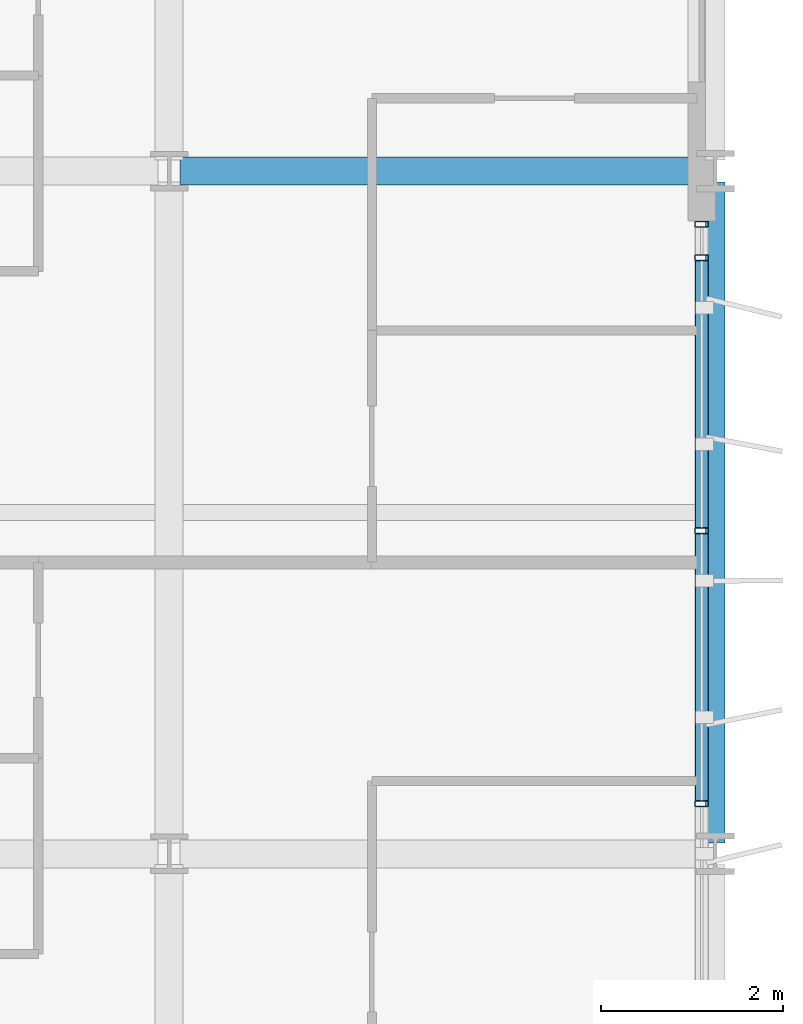
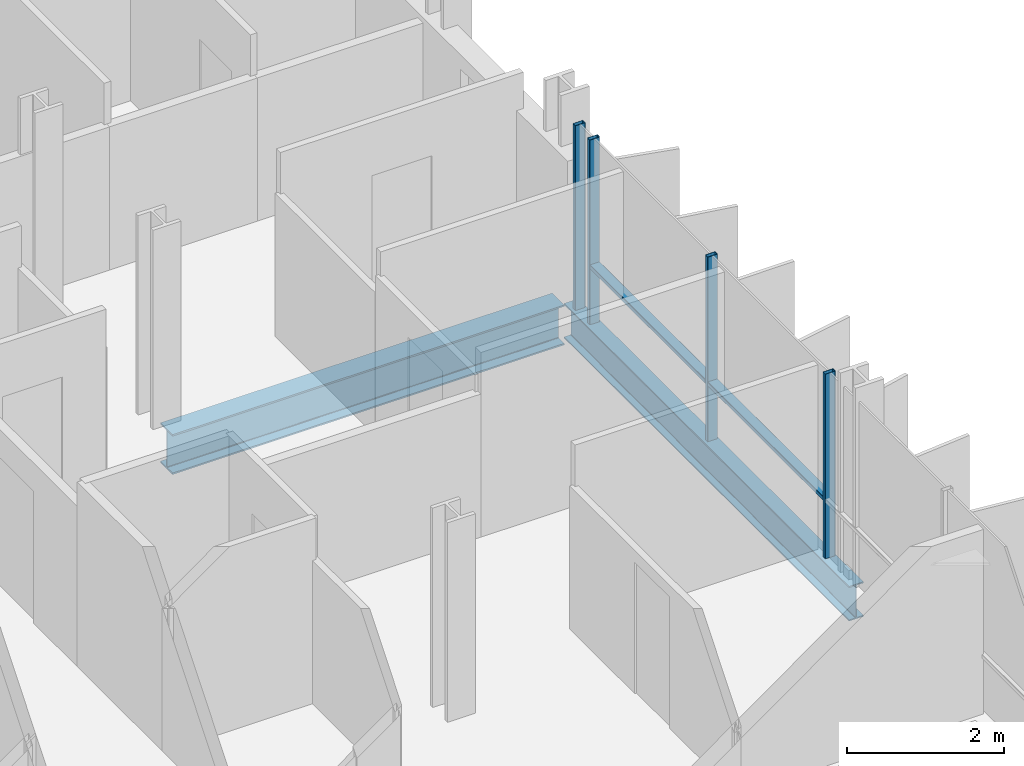
# One storey, part 19 of 39: 6 members, 2 beams, 1 element without a shape of its own.
"""IFC4 building model written with IfcOpenShell, lengths in metres."""

import ifcopenshell
import ifcopenshell.guid

model = None  # the IFC model being written
_history = None  # IfcOwnerHistory: only IFC2X3 demands one
_inside = {}  # id of a spatial element -> (the spatial element, [elements in it])
_under = {}  # id of a project, library or spatial element -> (it, [spatial elements below it])
_declared = {}  # id of a project -> (the project, [libraries it declares])
_typed = {}  # id of a type object -> (the type object, [elements of that type])
_made_of = {}  # id of a material, layer set ... -> (it, [elements and type objects made of it])


def new_model(schema):
    """Start an empty IFC model of exactly this schema.

    Asked for "IFC4X3", IfcOpenShell would pick the latest addendum, in which some entities
    have other attributes; the version numbers below select the first issue.
    IFC2X3 requires an IfcOwnerHistory on every rooted entity: one is made here for all.
    """
    global model, _history
    if schema == "IFC4X3":
        model = ifcopenshell.file(schema_version=(4, 3, 0, 0))
    else:
        model = ifcopenshell.file(schema=schema)
    _inside.clear()
    _under.clear()
    _declared.clear()
    _typed.clear()
    _made_of.clear()
    _history = None
    if model.schema == "IFC2X3":
        org = make("IfcOrganization", Name="unknown")
        user = make(
            "IfcPersonAndOrganization",
            ThePerson=make("IfcPerson", FamilyName="unknown"),
            TheOrganization=org,
        )
        app = make(
            "IfcApplication",
            ApplicationDeveloper=org,
            Version="unknown",
            ApplicationFullName="unknown",
            ApplicationIdentifier="unknown",
        )
        _history = make(
            "IfcOwnerHistory",
            OwningUser=user,
            OwningApplication=app,
            ChangeAction="ADDED",
            CreationDate=0,
        )
    return model


def make(cls, **values):
    """One entity of the class cls with the attributes given. An attribute that is None is left unset."""
    return model.create_entity(
        cls, **{name: value for name, value in values.items() if value is not None}
    )


def rooted(cls, **values):
    """An entity with a GlobalId (a new one), such as an element, a storey or a relation."""
    return make(cls, GlobalId=ifcopenshell.guid.new(), OwnerHistory=_history, **values)


def si_unit(unit_type, name, prefix=None):
    """IfcSIUnit, for example si_unit("LENGTHUNIT", "METRE", prefix="MILLI")."""
    return make("IfcSIUnit", UnitType=unit_type, Prefix=prefix, Name=name)


def assignment(units):
    """IfcUnitAssignment: the units of a project."""
    return None if units is None else make("IfcUnitAssignment", Units=units)


def point(xyz):
    """IfcCartesianPoint."""
    return None if xyz is None else make("IfcCartesianPoint", Coordinates=xyz)


def direction(xyz):
    """IfcDirection."""
    return None if xyz is None else make("IfcDirection", DirectionRatios=xyz)


def frame(location, z_axis=None, x_axis=None):
    """IfcAxis2Placement3D, a coordinate frame: its origin and axes. An axis left out is left unset."""
    return make(
        "IfcAxis2Placement3D",
        Location=point(location),
        Axis=direction(z_axis),
        RefDirection=direction(x_axis),
    )


def frame_2d(location, x_axis=None):
    """IfcAxis2Placement2D, a coordinate frame in the plane: its origin and x axis."""
    return make(
        "IfcAxis2Placement2D", Location=point(location), RefDirection=direction(x_axis)
    )


def origin():
    """The frame at (0, 0, 0) with its axes left unset."""
    return frame((0.0, 0.0, 0.0))


def origin_2d():
    """The frame at (0, 0) in the plane with its x axis left unset."""
    return frame_2d((0.0, 0.0))


def place(relative_to, where):
    """IfcLocalPlacement: puts the frame where relative to a parent placement (None: the world)."""
    return make(
        "IfcLocalPlacement", PlacementRelTo=relative_to, RelativePlacement=where
    )


def context(
    kind, dimensions, precision=None, world=None, true_north=None, identifier=None
):
    """IfcGeometricRepresentationContext, for example the 3D "Model" context."""
    return make(
        "IfcGeometricRepresentationContext",
        ContextIdentifier=identifier,
        ContextType=kind,
        CoordinateSpaceDimension=dimensions,
        Precision=precision,
        WorldCoordinateSystem=world,
        TrueNorth=true_north,
    )


def subcontext(parent, identifier, kind, view, scale=None):
    """IfcGeometricRepresentationSubContext, for example "Body" below "Model"."""
    return make(
        "IfcGeometricRepresentationSubContext",
        ContextIdentifier=identifier,
        ContextType=kind,
        ParentContext=parent,
        TargetScale=scale,
        TargetView=view,
    )


def project(units=None, contexts=None):
    """IfcProject with its units and contexts."""
    return rooted(
        "IfcProject",
        Name="project",
        RepresentationContexts=contexts,
        UnitsInContext=assignment(units),
    )


def spatial(cls, under=None, at=None, **own):
    """A site, building, storey or space (cls), placed at a placement, below another one or the project."""
    s = rooted(cls, ObjectPlacement=at, **own)
    if under is not None:
        _under.setdefault(under.id(), (under, []))[1].append(s)
    return s


def profile(cls, at=None, kind="AREA", **sizes):
    """A parametric profile (cls). Its sizes go by their IFC names, for example OverallWidth=200.0."""
    return make(cls, ProfileType=kind, Position=at, **sizes)


def hollow_rectangle(**sizes):
    """IfcRectangleHollowProfileDef."""
    return profile("IfcRectangleHollowProfileDef", **sizes)


def i_section(**sizes):
    """IfcIShapeProfileDef."""
    return profile("IfcIShapeProfileDef", **sizes)


def extrude(swept, where, along, depth):
    """IfcExtrudedAreaSolid: the profile swept, set in the frame where, extruded along a direction by depth."""
    return make(
        "IfcExtrudedAreaSolid",
        SweptArea=swept,
        Position=where,
        ExtrudedDirection=direction(along),
        Depth=depth,
    )


def shape(context_of_items, identifier, shape_type, items):
    """IfcShapeRepresentation: the items that make up one representation, for example the "Body"."""
    return make(
        "IfcShapeRepresentation",
        ContextOfItems=context_of_items,
        RepresentationIdentifier=identifier,
        RepresentationType=shape_type,
        Items=items,
    )


def material(Name=None, Category=None):
    """IfcMaterial."""
    return make("IfcMaterial", Name=Name, Category=Category)


def layer(
    of_material, thickness, ventilated=None, Name=None, Category=None, Priority=None
):
    """IfcMaterialLayer: one layer of a wall or slab, of a material (None: an air gap)."""
    return make(
        "IfcMaterialLayer",
        Material=of_material,
        LayerThickness=thickness,
        IsVentilated=ventilated,
        Name=Name,
        Category=Category,
        Priority=Priority,
    )


def layer_set(layers, Name=None):
    """IfcMaterialLayerSet."""
    return make("IfcMaterialLayerSet", MaterialLayers=layers, LayerSetName=Name)


def material_profile(
    of_material, cross_section, Name=None, Category=None, Priority=None
):
    """IfcMaterialProfile: a cross section and its material."""
    return make(
        "IfcMaterialProfile",
        Name=Name,
        Material=of_material,
        Profile=cross_section,
        Priority=Priority,
        Category=Category,
    )


def profile_set(profiles, Name=None, composite=None):
    """IfcMaterialProfileSet."""
    return make(
        "IfcMaterialProfileSet",
        Name=Name,
        MaterialProfiles=profiles,
        CompositeProfile=composite,
    )


def made_of(thing, what):
    """Note that an element or type object is made of a material, layer set ...; save() writes the relation."""
    if what is not None:
        _made_of.setdefault(what.id(), (what, []))[1].append(thing)
    return thing


def type_object(cls, material=None, **own):
    """A type object (cls), such as IfcWallType, which elements share."""
    return made_of(rooted(cls, **own), material)


def element(
    cls,
    number,
    at=None,
    inside=None,
    cuts=None,
    type_object=None,
    material=None,
    context=None,
    identifier="Body",
    shape_type=None,
    held_by="IfcProductDefinitionShape",
    body=None,
    shapes=None,
    **own,
):
    """One element of the class cls, such as IfcWall. Its Tag is "e" and its number.

    at: its placement. inside: the storey or other place that contains it. cuts: it is an
    opening in that element (IfcRelVoidsElement). A single representation is given by context,
    identifier, shape_type and body (its items); several are given by shapes. held_by: the class
    of the entity that holds the representations. save() writes the other relations.
    """
    e = rooted(cls, Tag="e%d" % number, ObjectPlacement=at, **own)
    if body is not None:
        shapes = [shape(context, identifier, shape_type, body)]
    if shapes is not None:
        e.Representation = make(held_by, Representations=shapes)
    if inside is not None:
        _inside.setdefault(inside.id(), (inside, []))[1].append(e)
    if cuts is not None:
        rooted(
            "IfcRelVoidsElement", RelatingBuildingElement=cuts, RelatedOpeningElement=e
        )
    if type_object is not None:
        _typed.setdefault(type_object.id(), (type_object, []))[1].append(e)
    return made_of(e, material)


def aggregate(whole, parts):
    """IfcRelAggregates: a whole, such as a stair, and the parts it consists of."""
    return rooted("IfcRelAggregates", RelatingObject=whole, RelatedObjects=parts)


def save(model, path):
    """Write the relations noted so far, then the file.

    IfcRelAggregates (storeys below a building ...), IfcRelContainedInSpatialStructure (elements
    in a storey), IfcRelDefinesByType, IfcRelAssociatesMaterial and IfcRelDeclares: one each for
    every whole, place, type object, material and project.
    """
    for whole, parts in _under.values():
        aggregate(whole, parts)
    for where, things in _inside.values():
        rooted(
            "IfcRelContainedInSpatialStructure",
            RelatedElements=things,
            RelatingStructure=where,
        )
    for kind, things in _typed.values():
        rooted("IfcRelDefinesByType", RelatedObjects=things, RelatingType=kind)
    for what, things in _made_of.values():
        rooted("IfcRelAssociatesMaterial", RelatedObjects=things, RelatingMaterial=what)
    for by, libraries in _declared.values():
        rooted("IfcRelDeclares", RelatingContext=by, RelatedDefinitions=libraries)
    model.write(path)


model = new_model("IFC4")

# Units and contexts
model_context = context("Model", 3, precision=1e-05, world=origin(), true_north=direction((0.0, 1.0)))
body_context = subcontext(model_context, "Body", "Model", "MODEL_VIEW")
ifc_project = project(units=[si_unit("LENGTHUNIT", "METRE"), si_unit("AREAUNIT", "SQUARE_METRE"), si_unit("VOLUMEUNIT", "CUBIC_METRE"), si_unit("PLANEANGLEUNIT", "RADIAN"), si_unit("MASSUNIT", "GRAM", prefix="KILO")], contexts=[model_context])

# Site, building, storey
site_placement = place(None, origin())
site = spatial("IfcSite", under=ifc_project, at=site_placement, CompositionType="ELEMENT")
building_placement = place(site_placement, origin())
building = spatial("IfcBuilding", under=site, at=building_placement, Name="Brevholm Reach", CompositionType="ELEMENT")
storey_placement = place(building_placement, frame((0.0, 0.0, 77.60009765625)))
storey = spatial("IfcBuildingStorey", under=building, at=storey_placement, Name="L22", CompositionType="ELEMENT", Elevation=77.60009765625)

# Beams
ifc_material_1 = material(Name="Structural Steel S355J2", Category="steel")
ifc_material_profile_1 = material_profile(ifc_material_1, i_section(OverallWidth=0.210693359375, OverallDepth=0.53955078125, WebThickness=0.01171875, FlangeThickness=0.018798828125, FilletRadius=0.0126953125, at=origin_2d()), Name="UKB 533x210x109")
ifc_profile_set_1 = profile_set([ifc_material_profile_1], Name="Structural Steel S355J2")
beam_type_1 = type_object("IfcBeamType", Name="BM-SP539", PredefinedType="SPANDREL", material=ifc_profile_set_1)
beam_1_placement = place(storey_placement, frame((60.0, 16.1201171875, -0.499755859375), z_axis=(0.0, 1.0, 0.0), x_axis=(-1.0, 0.0, 0.0)))
element("IfcBeam", 1, at=beam_1_placement, inside=storey, type_object=beam_type_1, Name="L22 SP-01B Framing Beam", PredefinedType="SPANDREL", context=body_context, shape_type="SweptSolid", body=[
    extrude(i_section(OverallWidth=0.210693359375, OverallDepth=0.53955078125, WebThickness=0.01171875, FlangeThickness=0.018798828125, FilletRadius=0.0126953125, at=origin_2d()), origin(), (0.0, 0.0, 1.0), 7.259765625),
])
ifc_material_2 = material(Name="Structural Steel S355J2", Category="steel")
ifc_material_profile_2 = material_profile(ifc_material_2, i_section(OverallWidth=0.30712890625, OverallDepth=0.6201171875, WebThickness=0.01416015625, FlangeThickness=0.023681640625, FilletRadius=0.0166015625, at=origin_2d()), Name="UKB 610x305x179")
ifc_profile_set_2 = profile_set([ifc_material_profile_2], Name="Structural Steel S355J2")
beam_type_2 = type_object("IfcBeamType", Name="BM-UKB610H", PredefinedType="USERDEFINED", material=ifc_profile_set_2)
beam_2_placement = place(storey_placement, frame((54.1201171875, 23.5, -0.540283203125), z_axis=(1.0, 0.0, 0.0), x_axis=(0.0, 1.0, 0.0)))
element("IfcBeam", 2, at=beam_2_placement, inside=storey, type_object=beam_type_2, Name="L22 G-06 Framing Beam", ObjectType="GIRDER", PredefinedType="USERDEFINED", context=body_context, shape_type="SweptSolid", body=[
    extrude(i_section(OverallWidth=0.30712890625, OverallDepth=0.6201171875, WebThickness=0.01416015625, FlangeThickness=0.023681640625, FilletRadius=0.0166015625, at=origin_2d()), origin(), (0.0, 0.0, 1.0), 5.759765625),
])

# Curtain wall, members
ifc_material_3 = material(Name="Dark Anodised Aluminium 6063-T6 and Solar-Control Glass", Category="aluminium")
ifc_layer = layer(ifc_material_3, 0.14990234375)
ifc_layer_set = layer_set([ifc_layer], Name="Dark Anodised Aluminium 6063-T6 and Solar-Control Glass")
curtain_wall_type = type_object("IfcCurtainWallType", Name="CW-01", PredefinedType="NOTDEFINED", material=ifc_layer_set)
curtain_wall_placement = place(storey_placement, origin())
curtain_wall = element("IfcCurtainWall", 3, at=curtain_wall_placement, inside=storey, type_object=curtain_wall_type, Name="L22 Curtain Wall CW-01", PredefinedType="NOTDEFINED")
ifc_material_4 = material(Name="Dark Anodised Aluminium 6063-T6", Category="aluminium")
ifc_material_profile_3 = material_profile(ifc_material_4, hollow_rectangle(XDim=0.06494140625, YDim=0.14990234375, WallThickness=0.0048828125, InnerFilletRadius=0.0048828125, OuterFilletRadius=0.010009765625, at=origin_2d()), Name="RHS 150x65x5")
ifc_profile_set_3 = profile_set([ifc_material_profile_3], Name="Dark Anodised Aluminium 6063-T6")
member_type_1 = type_object("IfcMemberType", Name="CWM-150", PredefinedType="MULLION", material=ifc_profile_set_3)
member_1_placement = place(storey_placement, frame((59.85009765625, 16.550048828125, 0.0), z_axis=(0.0, 0.0, 1.0), x_axis=(0.0, 1.0, 0.0)))
member_1 = element("IfcMember", 4, at=member_1_placement, type_object=member_type_1, Name="CM-150 Mullion 3", PredefinedType="MULLION", context=body_context, shape_type="SweptSolid", body=[
    extrude(hollow_rectangle(XDim=0.06494140625, YDim=0.14990234375, WallThickness=0.0048828125, InnerFilletRadius=0.0048828125, OuterFilletRadius=0.010009765625, at=origin_2d()), origin(), (0.0, 0.0, 1.0), 2.869873046875),
])
member_2_placement = place(storey_placement, frame((59.85009765625, 19.550048828125, 0.0), z_axis=(0.0, 0.0, 1.0), x_axis=(0.0, 1.0, 0.0)))
member_2 = element("IfcMember", 5, at=member_2_placement, type_object=member_type_1, Name="CM-150 Mullion 4", PredefinedType="MULLION", context=body_context, shape_type="SweptSolid", body=[
    extrude(hollow_rectangle(XDim=0.06494140625, YDim=0.14990234375, WallThickness=0.0048828125, InnerFilletRadius=0.0048828125, OuterFilletRadius=0.010009765625, at=origin_2d()), origin(), (0.0, 0.0, 1.0), 2.869873046875),
])
member_3_placement = place(storey_placement, frame((59.85009765625, 22.550048828125, 0.0), z_axis=(0.0, 0.0, 1.0), x_axis=(0.0, 1.0, 0.0)))
member_3 = element("IfcMember", 6, at=member_3_placement, type_object=member_type_1, Name="CM-150 Mullion 5", PredefinedType="MULLION", context=body_context, shape_type="SweptSolid", body=[
    extrude(hollow_rectangle(XDim=0.06494140625, YDim=0.14990234375, WallThickness=0.0048828125, InnerFilletRadius=0.0048828125, OuterFilletRadius=0.010009765625, at=origin_2d()), origin(), (0.0, 0.0, 1.0), 2.869873046875),
])
member_4_placement = place(storey_placement, frame((59.85009765625, 22.91748046875, 0.0), z_axis=(0.0, 0.0, 1.0), x_axis=(0.0, 1.0, 0.0)))
member_4 = element("IfcMember", 7, at=member_4_placement, type_object=member_type_1, Name="CM-150 Mullion 6", PredefinedType="MULLION", context=body_context, shape_type="SweptSolid", body=[
    extrude(hollow_rectangle(XDim=0.06494140625, YDim=0.14990234375, WallThickness=0.0048828125, InnerFilletRadius=0.0048828125, OuterFilletRadius=0.010009765625, at=origin_2d()), origin(), (0.0, 0.0, 1.0), 2.869873046875),
])
ifc_material_5 = material(Name="Dark Anodised Aluminium 6063-T6", Category="aluminium")
ifc_material_profile_4 = material_profile(ifc_material_5, hollow_rectangle(XDim=0.06494140625, YDim=0.14990234375, WallThickness=0.0048828125, InnerFilletRadius=0.0048828125, OuterFilletRadius=0.010009765625, at=origin_2d()), Name="RHS 150x65x5")
ifc_profile_set_4 = profile_set([ifc_material_profile_4], Name="Dark Anodised Aluminium 6063-T6")
member_type_2 = type_object("IfcMemberType", Name="CWT-150", PredefinedType="NOTDEFINED", material=ifc_profile_set_4)
member_5_placement = place(storey_placement, frame((59.85009765625, 16.58251953125, 0.89990234375), z_axis=(0.0, 1.0, 0.0), x_axis=(0.0, 0.0, 1.0)))
member_5 = element("IfcMember", 8, at=member_5_placement, type_object=member_type_2, Name="CT-150 Transom 3.1", ObjectType="TRANSOM", PredefinedType="USERDEFINED", context=body_context, shape_type="SweptSolid", body=[
    extrude(hollow_rectangle(XDim=0.06494140625, YDim=0.14990234375, WallThickness=0.0048828125, InnerFilletRadius=0.0048828125, OuterFilletRadius=0.010009765625, at=origin_2d()), origin(), (0.0, 0.0, 1.0), 2.93505859375),
])
member_6_placement = place(storey_placement, frame((59.85009765625, 19.58251953125, 0.89990234375), z_axis=(0.0, 1.0, 0.0), x_axis=(0.0, 0.0, 1.0)))
member_6 = element("IfcMember", 9, at=member_6_placement, type_object=member_type_2, Name="CT-150 Transom 4.1", ObjectType="TRANSOM", PredefinedType="USERDEFINED", context=body_context, shape_type="SweptSolid", body=[
    extrude(hollow_rectangle(XDim=0.06494140625, YDim=0.14990234375, WallThickness=0.0048828125, InnerFilletRadius=0.0048828125, OuterFilletRadius=0.010009765625, at=origin_2d()), origin(), (0.0, 0.0, 1.0), 2.93505859375),
])
aggregate(curtain_wall, [member_1, member_2, member_3, member_4, member_5, member_6])

save(model, "model.ifc")
